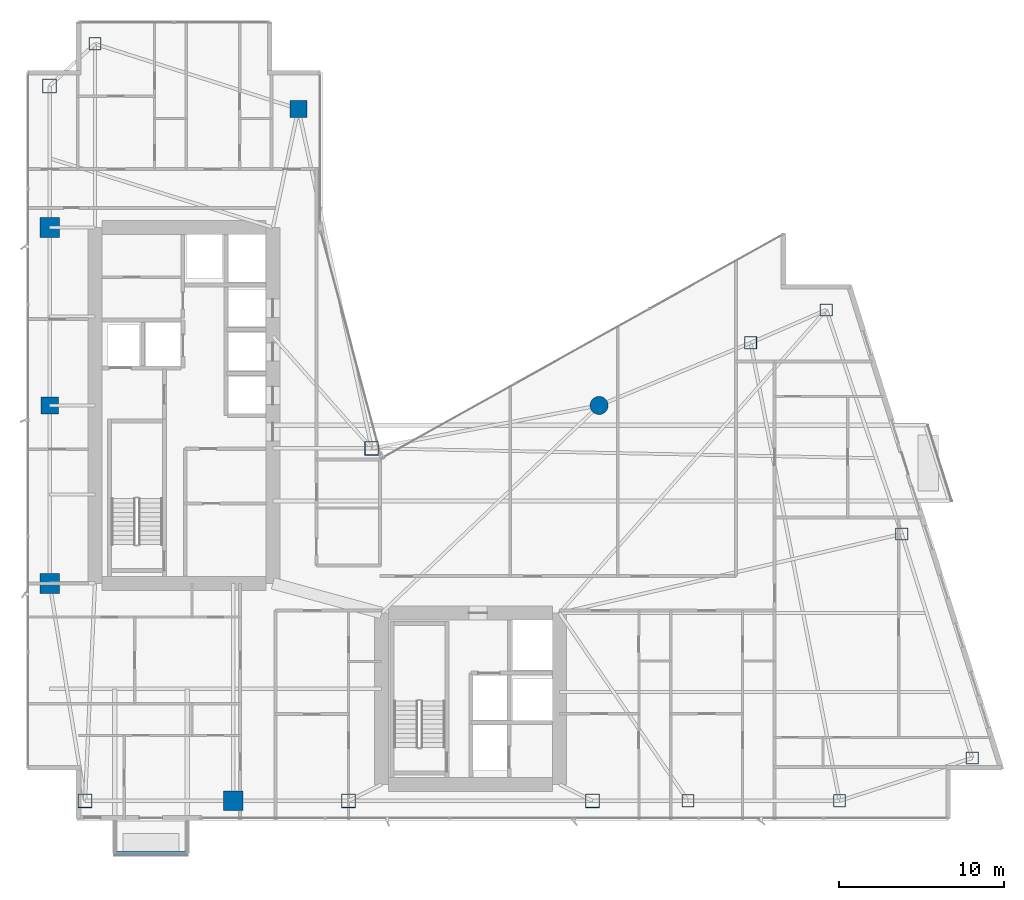
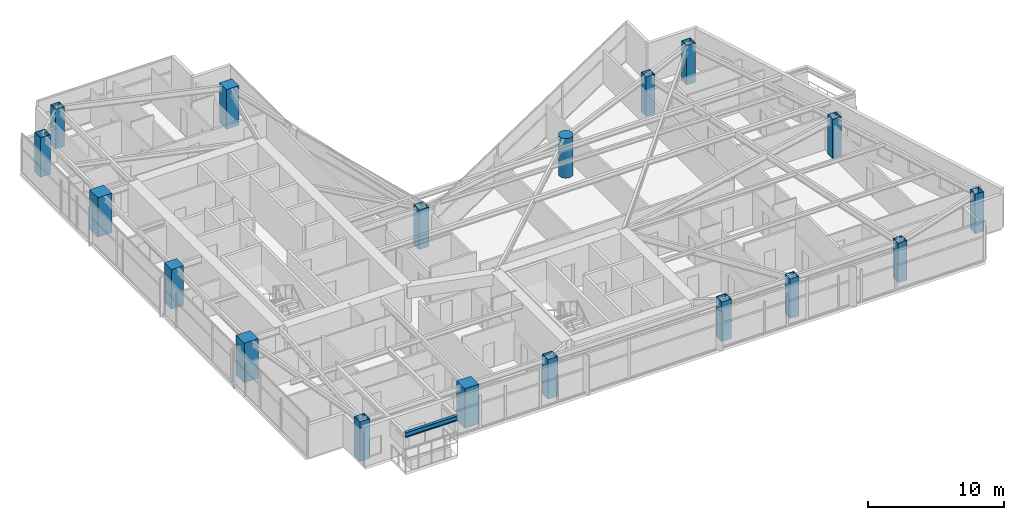
# One storey, part 1 of 28: 18 columns, 1 beam.
"""IFC4 building model written with IfcOpenShell, lengths in metres."""

from ifc_helpers import new_model, si_unit, direction, frame, origin, origin_2d, place, context, subcontext, project, spatial, rectangle, hollow_rectangle, circle, i_section, extrude, material, material_profile, profile_set, type_object, element, save


model = new_model("IFC4")

# Units and contexts
model_context = context("Model", 3, precision=1e-05, world=origin(), true_north=direction((0.0, 1.0)))
body_context = subcontext(model_context, "Body", "Model", "MODEL_VIEW")
ifc_project = project(units=[si_unit("LENGTHUNIT", "METRE"), si_unit("AREAUNIT", "SQUARE_METRE"), si_unit("VOLUMEUNIT", "CUBIC_METRE"), si_unit("PLANEANGLEUNIT", "RADIAN"), si_unit("MASSUNIT", "GRAM", prefix="KILO")], contexts=[model_context])

# Site, building, storey
site_placement = place(None, origin())
site = spatial("IfcSite", under=ifc_project, at=site_placement, CompositionType="ELEMENT")
building_placement = place(site_placement, origin())
building = spatial("IfcBuilding", under=site, at=building_placement, Name="Calvorn Quay Hotel", CompositionType="ELEMENT")
storey_placement = place(building_placement, frame((0.0, 0.0, 159.89990234375)))
storey = spatial("IfcBuildingStorey", under=building, at=storey_placement, Name="L39", CompositionType="ELEMENT", Elevation=159.89990234375)

# Columns
ifc_material_1 = material(Name="Concrete C50", Category="concrete")
ifc_material_profile_1 = material_profile(ifc_material_1, rectangle(XDim=1.050048828125, YDim=1.050048828125, at=origin_2d()), Name="RC1050x1050")
ifc_profile_set_1 = profile_set([ifc_material_profile_1], Name="Concrete C50")
column_type_1 = type_object("IfcColumnType", Name="COL-RC-1050", PredefinedType="COLUMN", material=ifc_profile_set_1)
for number, where, z_axis, x_axis, name in (
    (1, (1.449951171875, 27.60009765625, 0.0), (0.0, 0.0, 1.0), (1.0, 0.0, 0.0), "Column C-W3 (L39)"),
    (2, (16.550048828125, 45.60009765625, 0.0), (0.0, 0.0, 1.0), (1.0, 0.0, 0.0), "Column C-IC1 (L39)"),
):
    element("IfcColumn", number, at=place(storey_placement, frame(where, z_axis=z_axis, x_axis=x_axis)), inside=storey, type_object=column_type_1, Name=name, PredefinedType="COLUMN", context=body_context, shape_type="SweptSolid", body=[
        extrude(rectangle(XDim=1.050048828125, YDim=1.050048828125, at=origin_2d()), origin(), (0.0, 0.0, 1.0), 3.56005859375),
    ])
ifc_material_2 = material(Name="Concrete C50", Category="concrete")
ifc_material_profile_2 = material_profile(ifc_material_2, rectangle(XDim=1.199951171875, YDim=1.199951171875, at=origin_2d()), Name="RC1200x1200")
ifc_profile_set_2 = profile_set([ifc_material_profile_2], Name="Concrete C50")
column_type_2 = type_object("IfcColumnType", Name="COL-RC-1200", PredefinedType="COLUMN", material=ifc_profile_set_2)
for number, where, z_axis, x_axis, name in (
    (3, (1.449951171875, 16.800048828125, 0.0), (0.0, 0.0, 1.0), (1.0, 0.0, 0.0), "Column C-W2 (L39)"),
    (4, (1.449951171875, 38.39990234375, 0.0), (0.0, 0.0, 1.0), (1.0, 0.0, 0.0), "Column C-W4 (L39)"),
    (5, (12.60009765625, 3.60009765625, 0.0), (0.0, 0.0, 1.0), (1.0, 0.0, 0.0), "Column C-S1 (L39)"),
):
    element("IfcColumn", number, at=place(storey_placement, frame(where, z_axis=z_axis, x_axis=x_axis)), inside=storey, type_object=column_type_2, Name=name, PredefinedType="COLUMN", context=body_context, shape_type="SweptSolid", body=[
        extrude(rectangle(XDim=1.199951171875, YDim=1.199951171875, at=origin_2d()), origin(), (0.0, 0.0, 1.0), 3.56005859375),
    ])
ifc_material_3 = material(Name="Concrete C50", Category="concrete")
ifc_material_profile_3 = material_profile(ifc_material_3, circle(Radius=0.550048828125, at=origin_2d()), Name="RCD1100")
ifc_profile_set_3 = profile_set([ifc_material_profile_3], Name="Concrete C50")
column_type_3 = type_object("IfcColumnType", Name="COL-RC-D1100", PredefinedType="COLUMN", material=ifc_profile_set_3)
column_placement = place(storey_placement, frame((34.800048828125, 27.60009765625, 0.0), z_axis=(0.0, 0.0, 1.0), x_axis=(1.0, 0.0, 0.0)))
element("IfcColumn", 6, at=column_placement, inside=storey, type_object=column_type_3, Name="Column C-NC1 (L39)", PredefinedType="COLUMN", context=body_context, shape_type="SweptSolid", body=[
    extrude(circle(Radius=0.550048828125, at=origin_2d()), origin(), (0.0, 0.0, 1.0), 3.56005859375),
])
ifc_material_4 = material(Name="Steel Q390GJC", Category="steel")
ifc_material_profile_4 = material_profile(ifc_material_4, hollow_rectangle(XDim=0.85009765625, YDim=0.85009765625, WallThickness=0.035888671875, at=origin_2d()), Name="BOX850x850x36")
ifc_profile_set_4 = profile_set([ifc_material_profile_4], Name="Steel Q390GJC")
column_type_4 = type_object("IfcColumnType", Name="COL-STL-Z2", PredefinedType="COLUMN", material=ifc_profile_set_4)
for number, where, z_axis, x_axis, name in (
    (7, (3.60009765625, 3.60009765625, 0.0), (0.0, 0.0, 1.0), (1.0, 0.0, 0.0), "Column C-W1 (L39)"),
    (8, (1.449951171875, 47.0, 0.0), (0.0, 0.0, 1.0), (1.0, 0.0, 0.0), "Column C-W5 (L39)"),
    (9, (21.0, 25.0, 0.0), (0.0, 0.0, 1.0), (1.0, 0.0, 0.0), "Column C-IC2 (L39)"),
    (10, (19.60009765625, 3.60009765625, 0.0), (0.0, 0.0, 1.0), (1.0, 0.0, 0.0), "Column C-S2 (L39)"),
    (11, (34.39990234375, 3.60009765625, 0.0), (0.0, 0.0, 1.0), (1.0, 0.0, 0.0), "Column C-S3 (L39)"),
):
    element("IfcColumn", number, at=place(storey_placement, frame(where, z_axis=z_axis, x_axis=x_axis)), inside=storey, type_object=column_type_4, Name=name, PredefinedType="COLUMN", context=body_context, shape_type="SweptSolid", body=[
        extrude(hollow_rectangle(XDim=0.85009765625, YDim=0.85009765625, WallThickness=0.035888671875, at=origin_2d()), origin(), (0.0, 0.0, 1.0), 3.56005859375),
    ])
ifc_material_5 = material(Name="Steel Q390GJC", Category="steel")
ifc_material_profile_5 = material_profile(ifc_material_5, hollow_rectangle(XDim=0.75, YDim=0.75, WallThickness=0.031982421875, at=origin_2d()), Name="BOX750x750x32")
ifc_profile_set_5 = profile_set([ifc_material_profile_5], Name="Steel Q390GJC")
column_type_5 = type_object("IfcColumnType", Name="COL-STL-Z3", PredefinedType="COLUMN", material=ifc_profile_set_5)
for number, where, z_axis, x_axis, name in (
    (12, (4.199951171875, 49.550048828125, 0.0), (0.0, 0.0, 1.0), (1.0, 0.0, 0.0), "Column C-NW1 (L39)"),
    (13, (40.199951171875, 3.60009765625, 0.0), (0.0, 0.0, 1.0), (1.0, 0.0, 0.0), "Column C-S4 (L39)"),
    (14, (49.39990234375, 3.60009765625, 0.0), (0.0, 0.0, 1.0), (1.0, 0.0, 0.0), "Column C-S5 (L39)"),
    (15, (44.0, 31.39990234375, 0.0), (0.0, 0.0, 1.0), (1.0, 0.0, 0.0), "Column C-NC2 (L39)"),
    (16, (57.4609375, 6.199951171875, 0.0), (0.0, 0.0, 1.0), (1.0, 0.0, 0.0), "Column C-ET1 (L39)"),
    (17, (53.176025390625, 19.800048828125, 0.0), (0.0, 0.0, 1.0), (1.0, 0.0, 0.0), "Column C-ET2 (L39)"),
    (18, (48.591064453125, 33.39990234375, 0.0), (0.0, 0.0, 1.0), (1.0, 0.0, 0.0), "Column C-ET3 (L39)"),
):
    element("IfcColumn", number, at=place(storey_placement, frame(where, z_axis=z_axis, x_axis=x_axis)), inside=storey, type_object=column_type_5, Name=name, PredefinedType="COLUMN", context=body_context, shape_type="SweptSolid", body=[
        extrude(hollow_rectangle(XDim=0.75, YDim=0.75, WallThickness=0.031982421875, at=origin_2d()), origin(), (0.0, 0.0, 1.0), 3.56005859375),
    ])

# Beam
ifc_material_6 = material(Name="Steel Q355B", Category="steel")
ifc_material_profile_6 = material_profile(ifc_material_6, i_section(OverallWidth=0.25, OverallDepth=0.449951171875, WebThickness=0.011962890625, FlangeThickness=0.01611328125, FilletRadius=0.01611328125, at=origin_2d()), Name="HN450x250x12x16")
ifc_profile_set_6 = profile_set([ifc_material_profile_6], Name="Steel Q355B")
beam_type = type_object("IfcBeamType", Name="BM-CANT-BALC", PredefinedType="BEAM", material=ifc_profile_set_6)
beam_placement = place(storey_placement, frame((5.39990234375, 0.409912109375, 3.315185546875), z_axis=(1.0, 0.0, 0.0), x_axis=(0.0, 1.0, 0.0)))
element("IfcBeam", 19, at=beam_placement, inside=storey, type_object=beam_type, Name="Beam BCBO-L40-2", PredefinedType="BEAM", context=body_context, shape_type="SweptSolid", body=[
    extrude(i_section(OverallWidth=0.25, OverallDepth=0.449951171875, WebThickness=0.011962890625, FlangeThickness=0.01611328125, FilletRadius=0.01611328125, at=origin_2d()), origin(), (0.0, 0.0, 1.0), 4.400146484375),
])

save(model, "model.ifc")
